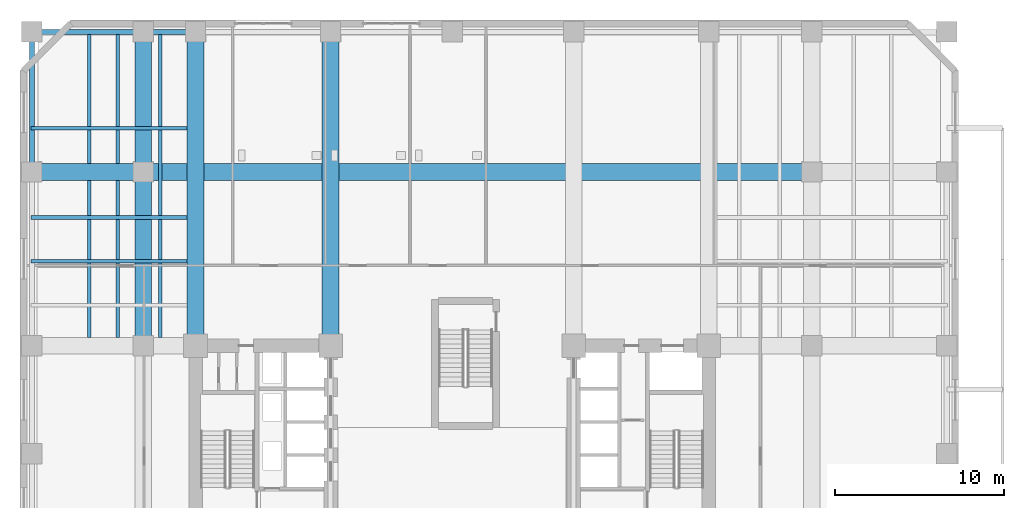
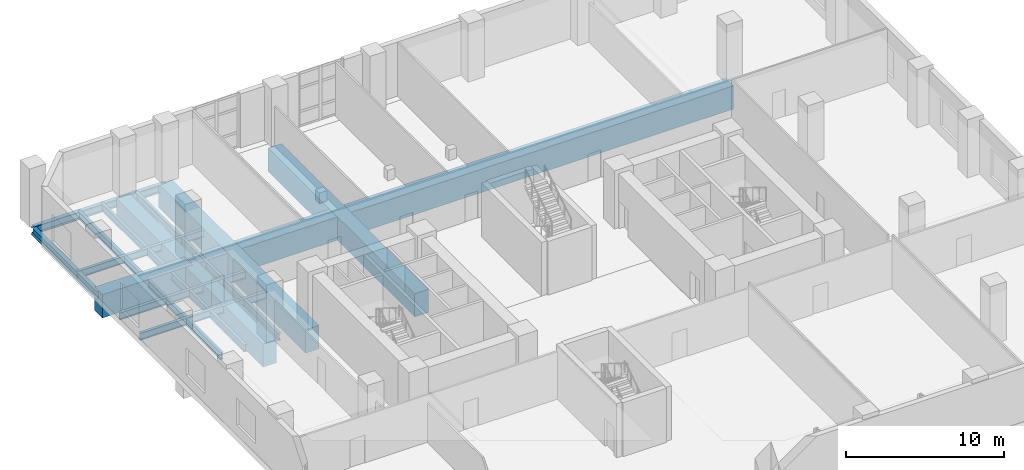
# One storey, part 4 of 15: 15 beams.
"""IFC4 building model written with IfcOpenShell, lengths in metres."""

from ifc_helpers import new_model, si_unit, direction, frame, origin, origin_2d, place, context, subcontext, project, spatial, rectangle, i_section, extrude, material, material_profile, profile_set, type_object, element, save


model = new_model("IFC4")

# Units and contexts
model_context = context("Model", 3, precision=1e-05, world=origin(), true_north=direction((0.0, 1.0)))
body_context = subcontext(model_context, "Body", "Model", "MODEL_VIEW")
ifc_project = project(units=[si_unit("LENGTHUNIT", "METRE"), si_unit("AREAUNIT", "SQUARE_METRE"), si_unit("VOLUMEUNIT", "CUBIC_METRE"), si_unit("PLANEANGLEUNIT", "RADIAN"), si_unit("MASSUNIT", "GRAM", prefix="KILO")], contexts=[model_context])

# Site, building, storey
site_placement = place(None, origin())
site = spatial("IfcSite", under=ifc_project, at=site_placement, CompositionType="ELEMENT")
building_placement = place(site_placement, origin())
building = spatial("IfcBuilding", under=site, at=building_placement, Name="Kranthara Brick Stack", CompositionType="ELEMENT")
storey_placement = place(building_placement, frame((0.0, 0.0, 5.39990234375)))
storey = spatial("IfcBuildingStorey", under=building, at=storey_placement, Name="L01", CompositionType="ELEMENT", Elevation=5.39990234375)

# Beams
ifc_material_1 = material(Name="Steel S355", Category="steel")
ifc_material_profile_1 = material_profile(ifc_material_1, i_section(OverallWidth=0.2099609375, OverallDepth=0.550048828125, WebThickness=0.010986328125, FlangeThickness=0.01708984375, at=origin_2d()), Name="IPE 550")
ifc_profile_set_1 = profile_set([ifc_material_profile_1], Name="Steel S355")
beam_type_1 = type_object("IfcBeamType", Name="BM-JST-IPE550", PredefinedType="JOIST", material=ifc_profile_set_1)
for number, where, z_axis, x_axis, name in (
    (1, (6.5, 34.10009765625, -0.724853515625), (0.0, 1.0, 0.0), (-1.0, 0.0, 0.0), "L01 North Wing Floor Joist 065"),
    (2, (8.199951171875, 34.10009765625, -0.724853515625), (0.0, 1.0, 0.0), (-1.0, 0.0, 0.0), "L01 North Wing Floor Joist 067"),
    (3, (10.699951171875, 34.10009765625, -0.724853515625), (0.0, 1.0, 0.0), (-1.0, 0.0, 0.0), "L01 North Wing Floor Joist 069"),
):
    element("IfcBeam", number, at=place(storey_placement, frame(where, z_axis=z_axis, x_axis=x_axis)), inside=storey, type_object=beam_type_1, Name=name, PredefinedType="JOIST", context=body_context, shape_type="SweptSolid", body=[
        extrude(i_section(OverallWidth=0.2099609375, OverallDepth=0.550048828125, WebThickness=0.010986328125, FlangeThickness=0.01708984375, at=origin_2d()), origin(), (0.0, 0.0, 1.0), 18.14990234375),
    ])
for number, where, z_axis, x_axis, name in (
    (4, (3.050048828125, 38.60009765625, -0.724853515625), (1.0, 0.0, 0.0), (0.0, 1.0, 0.0), "L01 West Wing Floor Joist 092"),
    (5, (3.050048828125, 41.199951171875, -0.724853515625), (1.0, 0.0, 0.0), (0.0, 1.0, 0.0), "L01 West Wing Floor Joist 094"),
    (6, (3.050048828125, 46.5, -0.724853515625), (1.0, 0.0, 0.0), (0.0, 1.0, 0.0), "L01 West Wing Floor Joist 096"),
):
    element("IfcBeam", number, at=place(storey_placement, frame(where, z_axis=z_axis, x_axis=x_axis)), inside=storey, type_object=beam_type_1, Name=name, PredefinedType="JOIST", context=body_context, shape_type="SweptSolid", body=[
        extrude(i_section(OverallWidth=0.2099609375, OverallDepth=0.550048828125, WebThickness=0.010986328125, FlangeThickness=0.01708984375, at=origin_2d()), origin(), (0.0, 0.0, 1.0), 9.25),
    ])
ifc_material_2 = material(Name="Steel S355", Category="steel")
ifc_material_profile_2 = material_profile(ifc_material_2, i_section(OverallWidth=0.300048828125, OverallDepth=0.60009765625, WebThickness=0.015380859375, FlangeThickness=0.030029296875, at=origin_2d()), Name="HEB 600")
ifc_profile_set_2 = profile_set([ifc_material_profile_2], Name="Steel S355")
beam_type_2 = type_object("IfcBeamType", Name="BM-STL-HEB600", PredefinedType="BEAM", material=ifc_profile_set_2)
beam_1_placement = place(storey_placement, frame((3.10009765625, 52.199951171875, -0.75), z_axis=(1.0, 0.0, 0.0), x_axis=(0.0, 1.0, 0.0)))
element("IfcBeam", 7, at=beam_1_placement, inside=storey, type_object=beam_type_2, Name="L01 Perimeter Spandrel Beam 012", PredefinedType="BEAM", context=body_context, shape_type="SweptSolid", body=[
    extrude(i_section(OverallWidth=0.300048828125, OverallDepth=0.60009765625, WebThickness=0.015380859375, FlangeThickness=0.030029296875, at=origin_2d()), origin(), (0.0, 0.0, 1.0), 6.599853515625),
])
beam_2_placement = place(storey_placement, frame((9.699951171875, 52.199951171875, -0.75), z_axis=(1.0, 0.0, 0.0), x_axis=(0.0, 1.0, 0.0)))
element("IfcBeam", 8, at=beam_2_placement, inside=storey, type_object=beam_type_2, Name="L01 Perimeter Spandrel Beam 013", PredefinedType="BEAM", context=body_context, shape_type="SweptSolid", body=[
    extrude(i_section(OverallWidth=0.300048828125, OverallDepth=0.60009765625, WebThickness=0.015380859375, FlangeThickness=0.030029296875, at=origin_2d()), origin(), (0.0, 0.0, 1.0), 3.10009765625),
])
beam_3_placement = place(storey_placement, frame((3.10009765625, 43.89990234375, -0.75), z_axis=(0.0, 1.0, 0.0), x_axis=(-1.0, 0.0, 0.0)))
element("IfcBeam", 9, at=beam_3_placement, inside=storey, type_object=beam_type_2, Name="L01 Perimeter Spandrel Beam 025", PredefinedType="BEAM", context=body_context, shape_type="SweptSolid", body=[
    extrude(i_section(OverallWidth=0.300048828125, OverallDepth=0.60009765625, WebThickness=0.015380859375, FlangeThickness=0.030029296875, at=origin_2d()), origin(), (0.0, 0.0, 1.0), 8.300048828125),
])
ifc_material_3 = material(Name="Post-tensioned concrete C50/60", Category="concrete")
ifc_material_profile_3 = material_profile(ifc_material_3, rectangle(XDim=1.0, YDim=1.800048828125, at=origin_2d()), Name="PT 1000x1800")
ifc_profile_set_3 = profile_set([ifc_material_profile_3], Name="Post-tensioned concrete C50/60")
beam_type_3 = type_object("IfcBeamType", Name="BM-TR-PT1800", PredefinedType="T_BEAM", material=ifc_profile_set_3)
beam_4_placement = place(storey_placement, frame((9.699951171875, 33.60009765625, -1.349853515625), z_axis=(0.0, 1.0, 0.0), x_axis=(-1.0, 0.0, 0.0)))
element("IfcBeam", 10, at=beam_4_placement, inside=storey, type_object=beam_type_3, Name="L01 Primary Grid Girder 034", PredefinedType="T_BEAM", context=body_context, shape_type="SweptSolid", body=[
    extrude(rectangle(XDim=1.0, YDim=1.800048828125, at=origin_2d()), origin(), (0.0, 0.0, 1.0), 10.2998046875),
])
beam_5_placement = place(storey_placement, frame((9.699951171875, 43.89990234375, -1.349853515625), z_axis=(0.0, 1.0, 0.0), x_axis=(-1.0, 0.0, 0.0)))
element("IfcBeam", 11, at=beam_5_placement, inside=storey, type_object=beam_type_3, Name="L01 Primary Grid Girder 035", PredefinedType="T_BEAM", context=body_context, shape_type="SweptSolid", body=[
    extrude(rectangle(XDim=1.0, YDim=1.800048828125, at=origin_2d()), origin(), (0.0, 0.0, 1.0), 8.300048828125),
])
for number, where, z_axis, x_axis, name in (
    (12, (12.800048828125, 33.60009765625, -1.349853515625), (0.0, 1.0, 0.0), (-1.0, 0.0, 0.0), "L01 Primary Grid Girder 037"),
    (13, (20.800048828125, 33.60009765625, -1.349853515625), (0.0, 1.0, 0.0), (-1.0, 0.0, 0.0), "L01 Primary Grid Girder 039"),
):
    element("IfcBeam", number, at=place(storey_placement, frame(where, z_axis=z_axis, x_axis=x_axis)), inside=storey, type_object=beam_type_3, Name=name, PredefinedType="T_BEAM", context=body_context, shape_type="SweptSolid", body=[
        extrude(rectangle(XDim=1.0, YDim=1.800048828125, at=origin_2d()), origin(), (0.0, 0.0, 1.0), 18.599853515625),
    ])
beam_6_placement = place(storey_placement, frame((3.10009765625, 43.89990234375, -1.349853515625), z_axis=(1.0, 0.0, 0.0), x_axis=(0.0, 1.0, 0.0)))
element("IfcBeam", 14, at=beam_6_placement, inside=storey, type_object=beam_type_3, Name="L01 Primary Grid Girder 061", PredefinedType="T_BEAM", context=body_context, shape_type="SweptSolid", body=[
    extrude(rectangle(XDim=1.0, YDim=1.800048828125, at=origin_2d()), origin(), (0.0, 0.0, 1.0), 6.599853515625),
])
beam_7_placement = place(storey_placement, frame((9.699951171875, 43.89990234375, -1.349853515625), z_axis=(1.0, 0.0, 0.0), x_axis=(0.0, 1.0, 0.0)))
element("IfcBeam", 15, at=beam_7_placement, inside=storey, type_object=beam_type_3, Name="L01 Primary Grid Girder 062", PredefinedType="T_BEAM", context=body_context, shape_type="SweptSolid", body=[
    extrude(rectangle(XDim=1.0, YDim=1.800048828125, at=origin_2d()), origin(), (0.0, 0.0, 1.0), 39.60009765625),
])

save(model, "model.ifc")
